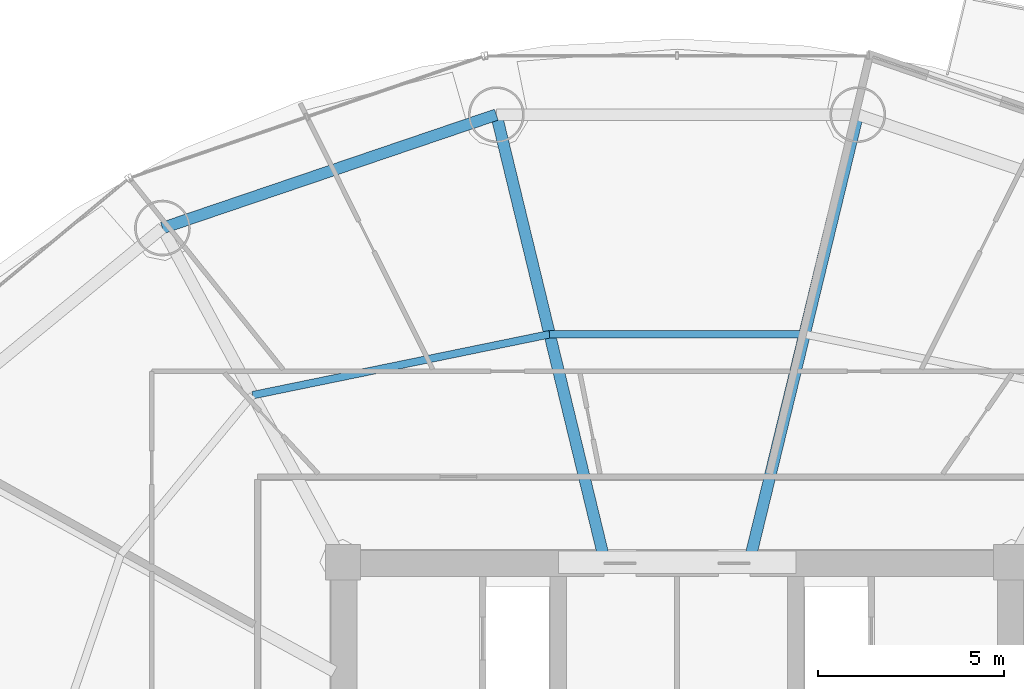
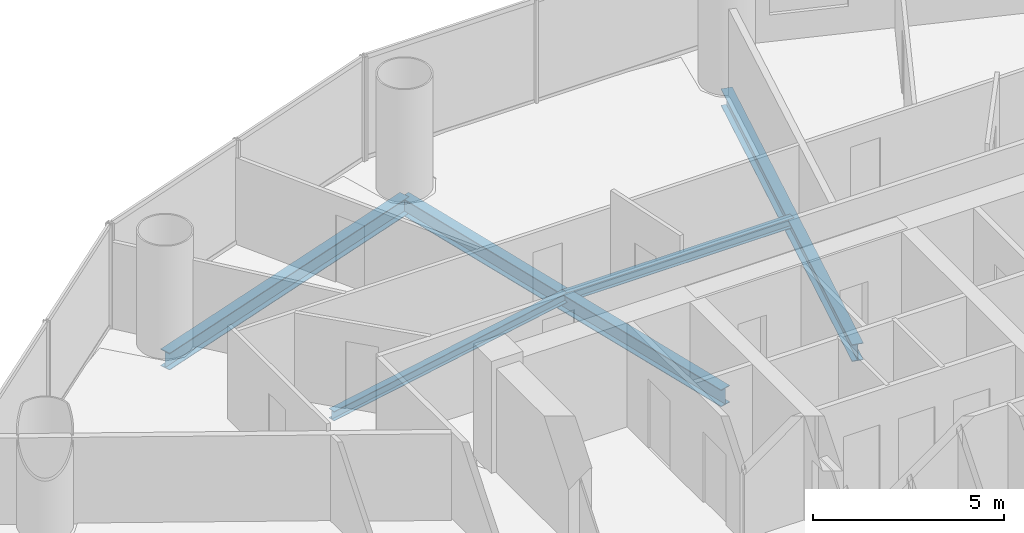
# One storey, part 16 of 28: 5 beams.
"""IFC4 building model written with IfcOpenShell, lengths in metres."""

from ifc_helpers import new_model, si_unit, direction, frame, origin, origin_2d, place, context, subcontext, project, spatial, i_section, extrude, material, material_profile, profile_set, type_object, element, save


model = new_model("IFC4")

# Units and contexts
model_context = context("Model", 3, precision=1e-05, world=origin(), true_north=direction((-0.2419218956, 0.970295726276)))
body_context = subcontext(model_context, "Body", "Model", "MODEL_VIEW")
ifc_project = project(units=[si_unit("LENGTHUNIT", "METRE"), si_unit("AREAUNIT", "SQUARE_METRE"), si_unit("VOLUMEUNIT", "CUBIC_METRE"), si_unit("PLANEANGLEUNIT", "RADIAN"), si_unit("MASSUNIT", "GRAM", prefix="KILO")], contexts=[model_context])

# Site, building, storey
site_placement = place(None, origin())
site = spatial("IfcSite", under=ifc_project, at=site_placement, CompositionType="ELEMENT")
building_placement = place(site_placement, origin())
building = spatial("IfcBuilding", under=site, at=building_placement, Name="Cobrevalo Terracotta Tower", CompositionType="ELEMENT")
storey_placement = place(building_placement, frame((0.0, 0.0, 108.60009765625)))
storey = spatial("IfcBuildingStorey", under=building, at=storey_placement, Name="L28", CompositionType="ELEMENT", Elevation=108.60009765625)

# Beams
ifc_material = material(Name="Steel S355", Category="steel")
ifc_material_profile_1 = material_profile(ifc_material, i_section(OverallWidth=0.31201171875, OverallDepth=0.54296875, WebThickness=0.0126953125, FlangeThickness=0.020263671875, at=origin_2d()), Name="W 530x150")
ifc_profile_set_1 = profile_set([ifc_material_profile_1], Name="Steel S355")
beam_type_1 = type_object("IfcBeamType", Name="Structural Beam W 530x150 (Steel S355)", PredefinedType="BEAM", material=ifc_profile_set_1)
for number, where, z_axis, x_axis, name in (
    (1, (42.867431640625, 46.857177734375, -0.546630859375), (-0.235827379387, -0.971794961467, 0.0), (0.971794961467, -0.235827379387, 0.0), "L28 radial floor girder 04"),
    (2, (33.132568359375, 46.857177734375, -0.546630859375), (0.235827379387, -0.971794961467, 0.0), (0.971794961467, 0.235827379387, 0.0), "L28 radial floor girder 05"),
):
    element("IfcBeam", number, at=place(storey_placement, frame(where, z_axis=z_axis, x_axis=x_axis)), inside=storey, type_object=beam_type_1, Name=name, PredefinedType="BEAM", context=body_context, shape_type="SweptSolid", body=[
        extrude(i_section(OverallWidth=0.31201171875, OverallDepth=0.54296875, WebThickness=0.0126953125, FlangeThickness=0.020263671875, at=origin_2d()), origin(), (0.0, 0.0, 1.0), 12.17041015625),
    ])
ifc_material_profile_2 = material_profile(ifc_material, i_section(OverallWidth=0.2041015625, OverallDepth=0.305908203125, WebThickness=0.008544921875, FlangeThickness=0.0146484375, at=origin_2d()), Name="W 310x67")
ifc_profile_set_2 = profile_set([ifc_material_profile_2], Name="Steel S355")
beam_type_2 = type_object("IfcBeamType", Name="Structural Joist W 310x67 (Steel S355)", PredefinedType="JOIST", material=ifc_profile_set_2)
beam_1_placement = place(storey_placement, frame((41.432373046875, 40.943603515625, -0.427978515625), z_axis=(-1.0, 0.0, 0.0), x_axis=(0.0, -1.0, 0.0)))
element("IfcBeam", 3, at=beam_1_placement, inside=storey, type_object=beam_type_2, Name="L28 circumferential secondary floor joist 04", PredefinedType="JOIST", context=body_context, shape_type="SweptSolid", body=[
    extrude(i_section(OverallWidth=0.2041015625, OverallDepth=0.305908203125, WebThickness=0.008544921875, FlangeThickness=0.0146484375, at=origin_2d()), origin(), (0.0, 0.0, 1.0), 6.86474609375),
])
beam_2_placement = place(storey_placement, frame((34.567626953125, 40.943603515625, -0.427978515625), z_axis=(-0.979574469315, -0.201081722357, 0.0), x_axis=(0.201081722357, -0.979574469315, 0.0)))
element("IfcBeam", 4, at=beam_2_placement, inside=storey, type_object=beam_type_2, Name="L28 circumferential secondary floor joist 05", PredefinedType="JOIST", context=body_context, shape_type="SweptSolid", body=[
    extrude(i_section(OverallWidth=0.2041015625, OverallDepth=0.305908203125, WebThickness=0.008544921875, FlangeThickness=0.0146484375, at=origin_2d()), origin(), (0.0, 0.0, 1.0), 8.1650390625),
])
ifc_material_profile_3 = material_profile(ifc_material, i_section(OverallWidth=0.31201171875, OverallDepth=0.54296875, WebThickness=0.0126953125, FlangeThickness=0.020263671875, at=origin_2d()), Name="W 530x150")
ifc_profile_set_3 = profile_set([ifc_material_profile_3], Name="Steel S355")
beam_type_3 = type_object("IfcBeamType", Name="Structural Spandrel W 530x150 (Steel S355)", PredefinedType="SPANDREL", material=ifc_profile_set_3)
beam_3_placement = place(storey_placement, frame((33.132568359375, 46.857177734375, -0.546630859375), z_axis=(-0.946910528816, -0.32149720126, 0.0), x_axis=(0.32149720126, -0.946910528816, 0.0)))
element("IfcBeam", 5, at=beam_3_placement, inside=storey, type_object=beam_type_3, Name="L28 perimeter ring spandrel 05", PredefinedType="SPANDREL", context=body_context, shape_type="SweptSolid", body=[
    extrude(i_section(OverallWidth=0.31201171875, OverallDepth=0.54296875, WebThickness=0.0126953125, FlangeThickness=0.020263671875, at=origin_2d()), origin(), (0.0, 0.0, 1.0), 9.498291015625),
])

save(model, "model.ifc")
